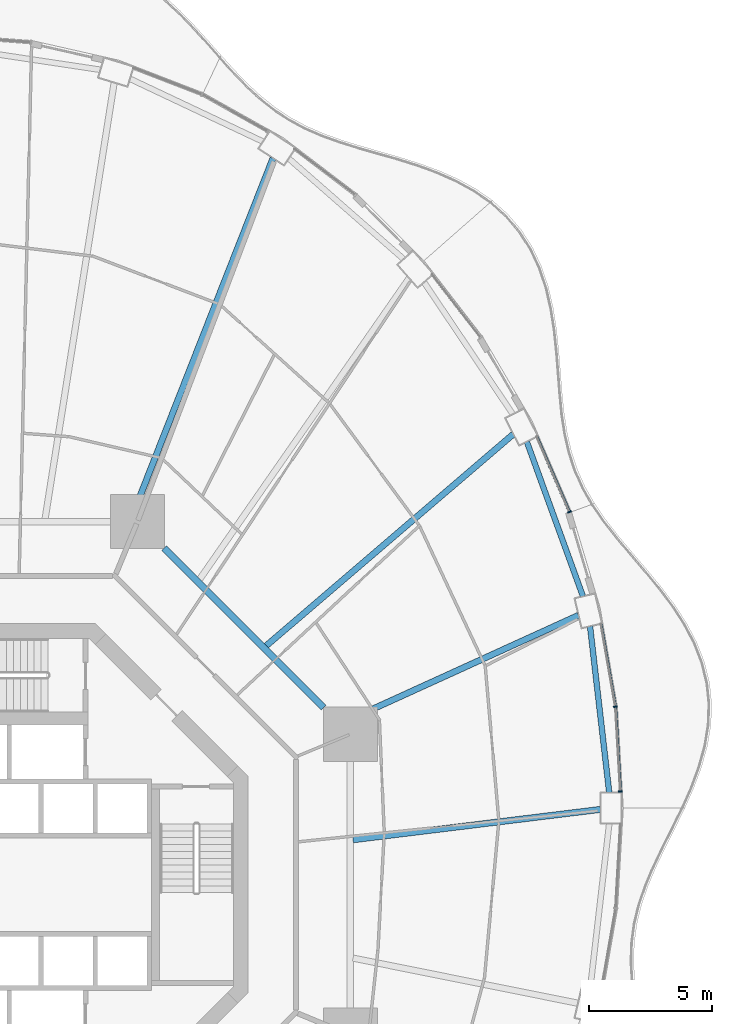
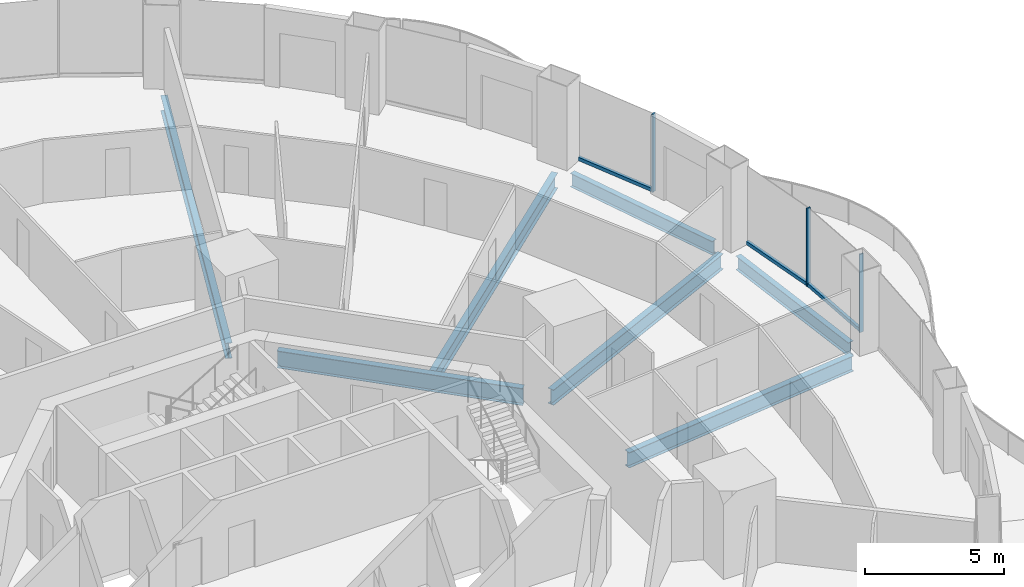
# One storey, part 10 of 22: 7 beams, 6 members, 3 elements without a shape of their own.
"""IFC4 building model written with IfcOpenShell, lengths in metres."""

import ifcopenshell
import ifcopenshell.guid

model = None  # the IFC model being written
_history = None  # IfcOwnerHistory: only IFC2X3 demands one
_inside = {}  # id of a spatial element -> (the spatial element, [elements in it])
_under = {}  # id of a project, library or spatial element -> (it, [spatial elements below it])
_declared = {}  # id of a project -> (the project, [libraries it declares])
_typed = {}  # id of a type object -> (the type object, [elements of that type])
_made_of = {}  # id of a material, layer set ... -> (it, [elements and type objects made of it])


def new_model(schema):
    """Start an empty IFC model of exactly this schema.

    Asked for "IFC4X3", IfcOpenShell would pick the latest addendum, in which some entities
    have other attributes; the version numbers below select the first issue.
    IFC2X3 requires an IfcOwnerHistory on every rooted entity: one is made here for all.
    """
    global model, _history
    if schema == "IFC4X3":
        model = ifcopenshell.file(schema_version=(4, 3, 0, 0))
    else:
        model = ifcopenshell.file(schema=schema)
    _inside.clear()
    _under.clear()
    _declared.clear()
    _typed.clear()
    _made_of.clear()
    _history = None
    if model.schema == "IFC2X3":
        org = make("IfcOrganization", Name="unknown")
        user = make(
            "IfcPersonAndOrganization",
            ThePerson=make("IfcPerson", FamilyName="unknown"),
            TheOrganization=org,
        )
        app = make(
            "IfcApplication",
            ApplicationDeveloper=org,
            Version="unknown",
            ApplicationFullName="unknown",
            ApplicationIdentifier="unknown",
        )
        _history = make(
            "IfcOwnerHistory",
            OwningUser=user,
            OwningApplication=app,
            ChangeAction="ADDED",
            CreationDate=0,
        )
    return model


def make(cls, **values):
    """One entity of the class cls with the attributes given. An attribute that is None is left unset."""
    return model.create_entity(
        cls, **{name: value for name, value in values.items() if value is not None}
    )


def rooted(cls, **values):
    """An entity with a GlobalId (a new one), such as an element, a storey or a relation."""
    return make(cls, GlobalId=ifcopenshell.guid.new(), OwnerHistory=_history, **values)


def si_unit(unit_type, name, prefix=None):
    """IfcSIUnit, for example si_unit("LENGTHUNIT", "METRE", prefix="MILLI")."""
    return make("IfcSIUnit", UnitType=unit_type, Prefix=prefix, Name=name)


def assignment(units):
    """IfcUnitAssignment: the units of a project."""
    return None if units is None else make("IfcUnitAssignment", Units=units)


def point(xyz):
    """IfcCartesianPoint."""
    return None if xyz is None else make("IfcCartesianPoint", Coordinates=xyz)


def direction(xyz):
    """IfcDirection."""
    return None if xyz is None else make("IfcDirection", DirectionRatios=xyz)


def frame(location, z_axis=None, x_axis=None):
    """IfcAxis2Placement3D, a coordinate frame: its origin and axes. An axis left out is left unset."""
    return make(
        "IfcAxis2Placement3D",
        Location=point(location),
        Axis=direction(z_axis),
        RefDirection=direction(x_axis),
    )


def frame_2d(location, x_axis=None):
    """IfcAxis2Placement2D, a coordinate frame in the plane: its origin and x axis."""
    return make(
        "IfcAxis2Placement2D", Location=point(location), RefDirection=direction(x_axis)
    )


def origin():
    """The frame at (0, 0, 0) with its axes left unset."""
    return frame((0.0, 0.0, 0.0))


def origin_2d():
    """The frame at (0, 0) in the plane with its x axis left unset."""
    return frame_2d((0.0, 0.0))


def place(relative_to, where):
    """IfcLocalPlacement: puts the frame where relative to a parent placement (None: the world)."""
    return make(
        "IfcLocalPlacement", PlacementRelTo=relative_to, RelativePlacement=where
    )


def context(
    kind, dimensions, precision=None, world=None, true_north=None, identifier=None
):
    """IfcGeometricRepresentationContext, for example the 3D "Model" context."""
    return make(
        "IfcGeometricRepresentationContext",
        ContextIdentifier=identifier,
        ContextType=kind,
        CoordinateSpaceDimension=dimensions,
        Precision=precision,
        WorldCoordinateSystem=world,
        TrueNorth=true_north,
    )


def subcontext(parent, identifier, kind, view, scale=None):
    """IfcGeometricRepresentationSubContext, for example "Body" below "Model"."""
    return make(
        "IfcGeometricRepresentationSubContext",
        ContextIdentifier=identifier,
        ContextType=kind,
        ParentContext=parent,
        TargetScale=scale,
        TargetView=view,
    )


def project(units=None, contexts=None):
    """IfcProject with its units and contexts."""
    return rooted(
        "IfcProject",
        Name="project",
        RepresentationContexts=contexts,
        UnitsInContext=assignment(units),
    )


def spatial(cls, under=None, at=None, **own):
    """A site, building, storey or space (cls), placed at a placement, below another one or the project."""
    s = rooted(cls, ObjectPlacement=at, **own)
    if under is not None:
        _under.setdefault(under.id(), (under, []))[1].append(s)
    return s


def profile(cls, at=None, kind="AREA", **sizes):
    """A parametric profile (cls). Its sizes go by their IFC names, for example OverallWidth=200.0."""
    return make(cls, ProfileType=kind, Position=at, **sizes)


def rectangle(**sizes):
    """IfcRectangleProfileDef."""
    return profile("IfcRectangleProfileDef", **sizes)


def i_section(**sizes):
    """IfcIShapeProfileDef."""
    return profile("IfcIShapeProfileDef", **sizes)


def extrude(swept, where, along, depth):
    """IfcExtrudedAreaSolid: the profile swept, set in the frame where, extruded along a direction by depth."""
    return make(
        "IfcExtrudedAreaSolid",
        SweptArea=swept,
        Position=where,
        ExtrudedDirection=direction(along),
        Depth=depth,
    )


def shape(context_of_items, identifier, shape_type, items):
    """IfcShapeRepresentation: the items that make up one representation, for example the "Body"."""
    return make(
        "IfcShapeRepresentation",
        ContextOfItems=context_of_items,
        RepresentationIdentifier=identifier,
        RepresentationType=shape_type,
        Items=items,
    )


def material(Name=None, Category=None):
    """IfcMaterial."""
    return make("IfcMaterial", Name=Name, Category=Category)


def layer(
    of_material, thickness, ventilated=None, Name=None, Category=None, Priority=None
):
    """IfcMaterialLayer: one layer of a wall or slab, of a material (None: an air gap)."""
    return make(
        "IfcMaterialLayer",
        Material=of_material,
        LayerThickness=thickness,
        IsVentilated=ventilated,
        Name=Name,
        Category=Category,
        Priority=Priority,
    )


def layer_set(layers, Name=None):
    """IfcMaterialLayerSet."""
    return make("IfcMaterialLayerSet", MaterialLayers=layers, LayerSetName=Name)


def material_profile(
    of_material, cross_section, Name=None, Category=None, Priority=None
):
    """IfcMaterialProfile: a cross section and its material."""
    return make(
        "IfcMaterialProfile",
        Name=Name,
        Material=of_material,
        Profile=cross_section,
        Priority=Priority,
        Category=Category,
    )


def profile_set(profiles, Name=None, composite=None):
    """IfcMaterialProfileSet."""
    return make(
        "IfcMaterialProfileSet",
        Name=Name,
        MaterialProfiles=profiles,
        CompositeProfile=composite,
    )


def made_of(thing, what):
    """Note that an element or type object is made of a material, layer set ...; save() writes the relation."""
    if what is not None:
        _made_of.setdefault(what.id(), (what, []))[1].append(thing)
    return thing


def type_object(cls, material=None, **own):
    """A type object (cls), such as IfcWallType, which elements share."""
    return made_of(rooted(cls, **own), material)


def element(
    cls,
    number,
    at=None,
    inside=None,
    cuts=None,
    type_object=None,
    material=None,
    context=None,
    identifier="Body",
    shape_type=None,
    held_by="IfcProductDefinitionShape",
    body=None,
    shapes=None,
    **own,
):
    """One element of the class cls, such as IfcWall. Its Tag is "e" and its number.

    at: its placement. inside: the storey or other place that contains it. cuts: it is an
    opening in that element (IfcRelVoidsElement). A single representation is given by context,
    identifier, shape_type and body (its items); several are given by shapes. held_by: the class
    of the entity that holds the representations. save() writes the other relations.
    """
    e = rooted(cls, Tag="e%d" % number, ObjectPlacement=at, **own)
    if body is not None:
        shapes = [shape(context, identifier, shape_type, body)]
    if shapes is not None:
        e.Representation = make(held_by, Representations=shapes)
    if inside is not None:
        _inside.setdefault(inside.id(), (inside, []))[1].append(e)
    if cuts is not None:
        rooted(
            "IfcRelVoidsElement", RelatingBuildingElement=cuts, RelatedOpeningElement=e
        )
    if type_object is not None:
        _typed.setdefault(type_object.id(), (type_object, []))[1].append(e)
    return made_of(e, material)


def aggregate(whole, parts):
    """IfcRelAggregates: a whole, such as a stair, and the parts it consists of."""
    return rooted("IfcRelAggregates", RelatingObject=whole, RelatedObjects=parts)


def save(model, path):
    """Write the relations noted so far, then the file.

    IfcRelAggregates (storeys below a building ...), IfcRelContainedInSpatialStructure (elements
    in a storey), IfcRelDefinesByType, IfcRelAssociatesMaterial and IfcRelDeclares: one each for
    every whole, place, type object, material and project.
    """
    for whole, parts in _under.values():
        aggregate(whole, parts)
    for where, things in _inside.values():
        rooted(
            "IfcRelContainedInSpatialStructure",
            RelatedElements=things,
            RelatingStructure=where,
        )
    for kind, things in _typed.values():
        rooted("IfcRelDefinesByType", RelatedObjects=things, RelatingType=kind)
    for what, things in _made_of.values():
        rooted("IfcRelAssociatesMaterial", RelatedObjects=things, RelatingMaterial=what)
    for by, libraries in _declared.values():
        rooted("IfcRelDeclares", RelatingContext=by, RelatedDefinitions=libraries)
    model.write(path)


model = new_model("IFC4")

# Units and contexts
model_context = context("Model", 3, precision=1e-05, world=origin(), true_north=direction((0.0, 1.0)))
body_context = subcontext(model_context, "Body", "Model", "MODEL_VIEW")
ifc_project = project(units=[si_unit("LENGTHUNIT", "METRE"), si_unit("AREAUNIT", "SQUARE_METRE"), si_unit("VOLUMEUNIT", "CUBIC_METRE"), si_unit("PLANEANGLEUNIT", "RADIAN"), si_unit("MASSUNIT", "GRAM", prefix="KILO")], contexts=[model_context])

# Site, building, storey
site_placement = place(None, origin())
site = spatial("IfcSite", under=ifc_project, at=site_placement, CompositionType="ELEMENT")
building_placement = place(site_placement, origin())
building = spatial("IfcBuilding", under=site, at=building_placement, Name="Nagisa Residences", CompositionType="ELEMENT")
storey_placement = place(building_placement, frame((0.0, 0.0, 95.5)))
storey = spatial("IfcBuildingStorey", under=building, at=storey_placement, Name="L23", CompositionType="ELEMENT", Elevation=95.5)

# Curtain wall, member
ifc_material_1 = material(Name="Concrete-coloured aluminium curtain wall system", Category="concrete")
ifc_layer = layer(ifc_material_1, 0.159912109375)
ifc_layer_set = layer_set([ifc_layer], Name="CW1 CURTAIN WALL")
curtain_wall_type = type_object("IfcCurtainWallType", Name="CW1 CURTAIN WALL", PredefinedType="NOTDEFINED", material=ifc_layer_set)
curtain_wall_1_placement = place(storey_placement, origin())
curtain_wall_1 = element("IfcCurtainWall", 1, at=curtain_wall_1_placement, inside=storey, type_object=curtain_wall_type, Name="cw:CW1:L23:00", PredefinedType="NOTDEFINED")
ifc_material_2 = material(Name="Concrete-coloured aluminium", Category="concrete")
ifc_material_profile_1 = material_profile(ifc_material_2, rectangle(XDim=0.159912109375, YDim=0.06005859375, at=origin_2d()), Name="CW1 MULLION 160x60")
ifc_profile_set_1 = profile_set([ifc_material_profile_1], Name="Concrete-coloured aluminium")
member_type_1 = type_object("IfcMemberType", Name="CW1 MULLION 160x60", PredefinedType="MULLION", material=ifc_profile_set_1)
member_1_placement = place(storey_placement, frame((25.776123046875, 3.7919921875, 0.0), z_axis=(0.0, 0.0, 1.0), x_axis=(-0.998345305184, -0.057503492216, 0.0)))
member_1 = element("IfcMember", 2, at=member_1_placement, type_object=member_type_1, Name="CW1 mullion", PredefinedType="MULLION", context=body_context, shape_type="SweptSolid", body=[
    extrude(rectangle(XDim=0.159912109375, YDim=0.06005859375, at=origin_2d()), origin(), (0.0, 0.0, 1.0), 3.43994140625),
])

curtain_wall_2_placement = place(storey_placement, origin())
curtain_wall_2 = element("IfcCurtainWall", 3, at=curtain_wall_2_placement, inside=storey, type_object=curtain_wall_type, Name="cw:CW1:L23:01", PredefinedType="NOTDEFINED")
member_2_placement = place(storey_placement, frame((25.573974609375, 7.2470703125, 0.0), z_axis=(0.0, 0.0, 1.0), x_axis=(-0.985063604377, -0.172190868898, 0.0)))
member_2 = element("IfcMember", 4, at=member_2_placement, type_object=member_type_1, Name="CW1 mullion", PredefinedType="MULLION", context=body_context, shape_type="SweptSolid", body=[
    extrude(rectangle(XDim=0.159912109375, YDim=0.06005859375, at=origin_2d()), origin(), (0.0, 0.0, 1.0), 3.43994140625),
])

curtain_wall_3_placement = place(storey_placement, origin())
curtain_wall_3 = element("IfcCurtainWall", 5, at=curtain_wall_3_placement, inside=storey, type_object=curtain_wall_type, Name="cw:CW1:L23:03", PredefinedType="NOTDEFINED")
member_3_placement = place(storey_placement, frame((23.701416015625, 15.173583984375, 0.0), z_axis=(0.0, 0.0, 1.0), x_axis=(-0.917543276295, -0.397635934147, 0.0)))
member_3 = element("IfcMember", 6, at=member_3_placement, type_object=member_type_1, Name="CW1 mullion", PredefinedType="MULLION", context=body_context, shape_type="SweptSolid", body=[
    extrude(rectangle(XDim=0.159912109375, YDim=0.06005859375, at=origin_2d()), origin(), (0.0, 0.0, 1.0), 3.43994140625),
])

# Member
ifc_material_3 = material(Name="Concrete-coloured aluminium", Category="concrete")
ifc_material_profile_2 = material_profile(ifc_material_3, rectangle(XDim=0.1201171875, YDim=0.14990234375, at=origin_2d()), Name="CW1 TRANSOM 120x150")
ifc_profile_set_2 = profile_set([ifc_material_profile_2], Name="Concrete-coloured aluminium")
member_type_2 = type_object("IfcMemberType", Name="CW1 TRANSOM 120x150", PredefinedType="USERDEFINED", material=ifc_profile_set_2)
member_4_placement = place(storey_placement, frame((25.77783203125, 3.761962890625, 0.074951171875), z_axis=(-0.057546644052, 0.998342818754, 0.0), x_axis=(-0.998342818754, -0.057546644052, 0.0)))
member_4 = element("IfcMember", 7, at=member_4_placement, type_object=member_type_2, Name="CW1 transom", ObjectType="TRANSOM", PredefinedType="USERDEFINED", context=body_context, shape_type="SweptSolid", body=[
    extrude(rectangle(XDim=0.1201171875, YDim=0.14990234375, at=origin_2d()), origin(), (0.0, 0.0, 1.0), 3.470458984375),
])

aggregate(curtain_wall_1, [member_1, member_4])

member_5_placement = place(storey_placement, frame((25.579345703125, 7.217529296875, 0.074951171875), z_axis=(-0.17223289558, 0.985056257114, 0.0), x_axis=(-0.985056257114, -0.17223289558, 0.0)))
member_5 = element("IfcMember", 8, at=member_5_placement, type_object=member_type_2, Name="CW1 transom", ObjectType="TRANSOM", PredefinedType="USERDEFINED", context=body_context, shape_type="SweptSolid", body=[
    extrude(rectangle(XDim=0.1201171875, YDim=0.14990234375, at=origin_2d()), origin(), (0.0, 0.0, 1.0), 3.454345703125),
])

aggregate(curtain_wall_2, [member_2, member_5])

member_6_placement = place(storey_placement, frame((23.71337890625, 15.146240234375, 0.074951171875), z_axis=(-0.397621629246, 0.917549475481, 0.0), x_axis=(-0.917549475481, -0.397621629246, 0.0)))
member_6 = element("IfcMember", 9, at=member_6_placement, type_object=member_type_2, Name="CW1 transom", ObjectType="TRANSOM", PredefinedType="USERDEFINED", context=body_context, shape_type="SweptSolid", body=[
    extrude(rectangle(XDim=0.1201171875, YDim=0.14990234375, at=origin_2d()), origin(), (0.0, 0.0, 1.0), 3.37939453125),
])

aggregate(curtain_wall_3, [member_3, member_6])

# Beams
ifc_material_4 = material(Name="Steel ASTM A572 Gr 50", Category="steel")
ifc_material_profile_3 = material_profile(ifc_material_4, i_section(OverallWidth=0.264892578125, OverallDepth=0.7529296875, WebThickness=0.01318359375, FlangeThickness=0.01708984375, at=origin_2d()), Name="W760x147")
ifc_profile_set_3 = profile_set([ifc_material_profile_3], Name="Steel ASTM A572 Gr 50")
beam_type_1 = type_object("IfcBeamType", Name="Inner ring beam W760x147", PredefinedType="BEAM", material=ifc_profile_set_3)
beam_1_placement = place(storey_placement, frame((13.6962890625, 7.208740234375, -0.636474609375), z_axis=(-0.707106781187, 0.707106781187, 0.0), x_axis=(-0.707106781187, -0.707106781187, 0.0)))
element("IfcBeam", 10, at=beam_1_placement, inside=storey, type_object=beam_type_1, Name="beam:L23:ib1", PredefinedType="BEAM", context=body_context, shape_type="SweptSolid", body=[
    extrude(i_section(OverallWidth=0.264892578125, OverallDepth=0.7529296875, WebThickness=0.01318359375, FlangeThickness=0.01708984375, at=origin_2d()), origin(), (0.0, 0.0, 1.0), 9.1748046875),
])
ifc_material_5 = material(Name="Steel ASTM A572 Gr 50", Category="steel")
ifc_material_profile_4 = material_profile(ifc_material_5, i_section(OverallWidth=0.22802734375, OverallDepth=0.60302734375, WebThickness=0.010498046875, FlangeThickness=0.014892578125, at=origin_2d()), Name="W610x101")
ifc_profile_set_4 = profile_set([ifc_material_profile_4], Name="Steel ASTM A572 Gr 50")
beam_type_2 = type_object("IfcBeamType", Name="Perimeter ring beam W610x101", PredefinedType="BEAM", material=ifc_profile_set_4)
beam_2_placement = place(storey_placement, frame((25.322265625, 3.747802734375, -0.5615234375), z_axis=(-0.114690766503, 0.993401242237, 0.0), x_axis=(-0.993401242237, -0.114690766503, 0.0)))
element("IfcBeam", 11, at=beam_2_placement, inside=storey, type_object=beam_type_2, Name="beam:L23:pb01", PredefinedType="BEAM", context=body_context, shape_type="SweptSolid", body=[
    extrude(i_section(OverallWidth=0.22802734375, OverallDepth=0.60302734375, WebThickness=0.010498046875, FlangeThickness=0.014892578125, at=origin_2d()), origin(), (0.0, 0.0, 1.0), 6.811767578125),
])
beam_3_placement = place(storey_placement, frame((24.251708984375, 11.7412109375, -0.5615234375), z_axis=(-0.341365002286, 0.939930814057, 0.0), x_axis=(-0.939930814057, -0.341365002286, 0.0)))
element("IfcBeam", 12, at=beam_3_placement, inside=storey, type_object=beam_type_2, Name="beam:L23:pb02", PredefinedType="BEAM", context=body_context, shape_type="SweptSolid", body=[
    extrude(i_section(OverallWidth=0.22802734375, OverallDepth=0.60302734375, WebThickness=0.010498046875, FlangeThickness=0.014892578125, at=origin_2d()), origin(), (0.0, 0.0, 1.0), 6.689208984375),
])
ifc_material_6 = material(Name="Steel ASTM A572 Gr 50", Category="steel")
ifc_material_profile_5 = material_profile(ifc_material_6, i_section(OverallWidth=0.2529296875, OverallDepth=0.677978515625, WebThickness=0.01171875, FlangeThickness=0.016357421875, at=origin_2d()), Name="W690x125")
ifc_profile_set_5 = profile_set([ifc_material_profile_5], Name="Steel ASTM A572 Gr 50")
beam_type_3 = type_object("IfcBeamType", Name="Radial beam W690x125", PredefinedType="BEAM", material=ifc_profile_set_5)
beam_4_placement = place(storey_placement, frame((24.96484375, 3.06494140625, -0.59912109375), z_axis=(-0.992547591761, -0.121857614, 0.0), x_axis=(0.121857614, -0.992547591761, 0.0)))
element("IfcBeam", 13, at=beam_4_placement, inside=storey, type_object=beam_type_3, Name="beam:L23:rb01", PredefinedType="BEAM", context=body_context, shape_type="SweptSolid", body=[
    extrude(i_section(OverallWidth=0.2529296875, OverallDepth=0.677978515625, WebThickness=0.01171875, FlangeThickness=0.016357421875, at=origin_2d()), origin(), (0.0, 0.0, 1.0), 10.145751953125),
])
beam_5_placement = place(storey_placement, frame((24.069091796875, 10.963134765625, -0.59912109375), z_axis=(-0.91004744246, -0.414504104288, 0.0), x_axis=(0.414504104288, -0.91004744246, 0.0)))
element("IfcBeam", 14, at=beam_5_placement, inside=storey, type_object=beam_type_3, Name="beam:L23:rb02", PredefinedType="BEAM", context=body_context, shape_type="SweptSolid", body=[
    extrude(i_section(OverallWidth=0.2529296875, OverallDepth=0.677978515625, WebThickness=0.01171875, FlangeThickness=0.016357421875, at=origin_2d()), origin(), (0.0, 0.0, 1.0), 10.544189453125),
])
beam_6_placement = place(storey_placement, frame((21.4150390625, 18.3369140625, -0.59912109375), z_axis=(-0.759585472841, -0.650407494921, 0.0), x_axis=(0.650407494921, -0.759585472841, 0.0)))
element("IfcBeam", 15, at=beam_6_placement, inside=storey, type_object=beam_type_3, Name="beam:L23:rb03", PredefinedType="BEAM", context=body_context, shape_type="SweptSolid", body=[
    extrude(i_section(OverallWidth=0.2529296875, OverallDepth=0.677978515625, WebThickness=0.01171875, FlangeThickness=0.016357421875, at=origin_2d()), origin(), (0.0, 0.0, 1.0), 13.25390625),
])
beam_7_placement = place(storey_placement, frame((11.636474609375, 29.568359375, -0.59912109375), z_axis=(-0.366203217464, -0.930534901828, 0.0), x_axis=(0.930534901828, -0.366203217464, 0.0)))
element("IfcBeam", 16, at=beam_7_placement, inside=storey, type_object=beam_type_3, Name="beam:L23:rb05", PredefinedType="BEAM", context=body_context, shape_type="SweptSolid", body=[
    extrude(i_section(OverallWidth=0.2529296875, OverallDepth=0.677978515625, WebThickness=0.01171875, FlangeThickness=0.016357421875, at=origin_2d()), origin(), (0.0, 0.0, 1.0), 15.767578125),
])

save(model, "model.ifc")
